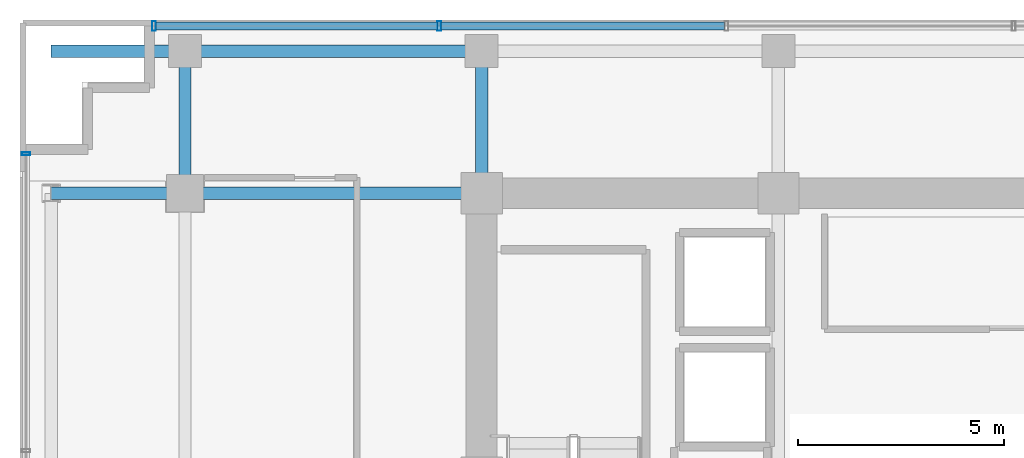
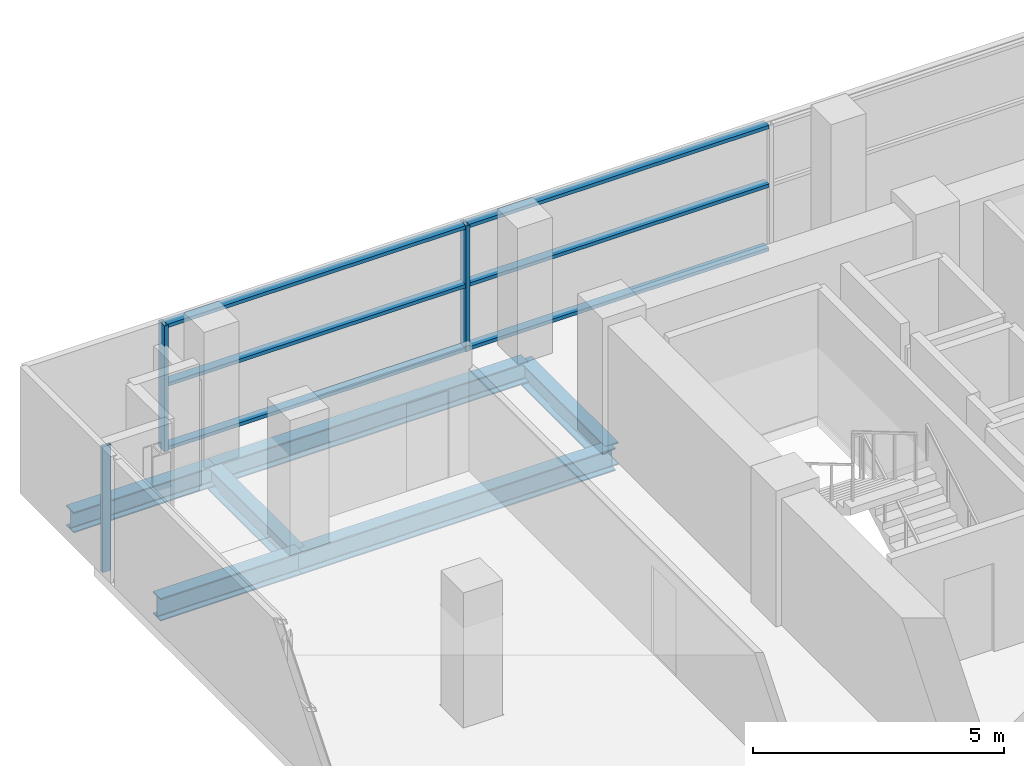
# One storey, part 12 of 25: 9 members, 6 beams, 2 elements without a shape of their own.
"""IFC4 building model written with IfcOpenShell, lengths in metres."""

from ifc_helpers import new_model, si_unit, direction, frame, origin, origin_2d, place, context, subcontext, project, spatial, hollow_rectangle, i_section, extrude, source, transform, mapped, material, layer, layer_set, material_profile, profile_set, type_object, element, aggregate, save


model = new_model("IFC4")

# Units and contexts
model_context = context("Model", 3, precision=1e-05, world=origin(), true_north=direction((0.0, 1.0)))
body_context = subcontext(model_context, "Body", "Model", "MODEL_VIEW")
ifc_project = project(units=[si_unit("LENGTHUNIT", "METRE"), si_unit("AREAUNIT", "SQUARE_METRE"), si_unit("VOLUMEUNIT", "CUBIC_METRE"), si_unit("PLANEANGLEUNIT", "RADIAN"), si_unit("MASSUNIT", "GRAM", prefix="KILO")], contexts=[model_context])

# Site, building, storey
site_placement = place(None, origin())
site = spatial("IfcSite", under=ifc_project, at=site_placement, CompositionType="ELEMENT")
building_placement = place(site_placement, origin())
building = spatial("IfcBuilding", under=site, at=building_placement, Name="Zarnakvel Exchange Tower", CompositionType="ELEMENT")
storey_placement = place(building_placement, frame((0.0, 0.0, 126.39990234375)))
storey = spatial("IfcBuildingStorey", under=building, at=storey_placement, Name="L35", CompositionType="ELEMENT", Elevation=126.39990234375)

# Beams
ifc_material_1 = material(Name="Steel S355", Category="steel")
ifc_material_profile_1 = material_profile(ifc_material_1, i_section(OverallWidth=0.300048828125, OverallDepth=0.550048828125, WebThickness=0.014892578125, FlangeThickness=0.029052734375, FilletRadius=0.027099609375, at=origin_2d()))
ifc_profile_set_1 = profile_set([ifc_material_profile_1], Name="Steel S355")
beam_type_1 = type_object("IfcBeamType", Name="G-05", PredefinedType="BEAM", material=ifc_profile_set_1)
beam_1_placement = place(storey_placement, frame((-24.85009765625, 13.5, -0.5), z_axis=(1.0, 0.0, 0.0), x_axis=(0.0, 1.0, 0.0)))
element("IfcBeam", 1, at=beam_1_placement, inside=storey, type_object=beam_type_1, Name="L35 Tower E-W Frame Beam", PredefinedType="BEAM", context=body_context, shape_type="SweptSolid", body=[
    extrude(i_section(OverallWidth=0.300048828125, OverallDepth=0.550048828125, WebThickness=0.014892578125, FlangeThickness=0.029052734375, FilletRadius=0.027099609375, at=origin_2d()), origin(), (0.0, 0.0, 1.0), 3.25),
])
beam_2_placement = place(storey_placement, frame((-21.60009765625, 13.5, -0.5), z_axis=(1.0, 0.0, 0.0), x_axis=(0.0, 1.0, 0.0)))
element("IfcBeam", 2, at=beam_2_placement, inside=storey, type_object=beam_type_1, Name="L35 Tower E-W Frame Beam", PredefinedType="BEAM", context=body_context, shape_type="SweptSolid", body=[
    extrude(i_section(OverallWidth=0.300048828125, OverallDepth=0.550048828125, WebThickness=0.014892578125, FlangeThickness=0.029052734375, FilletRadius=0.027099609375, at=origin_2d()), origin(), (0.0, 0.0, 1.0), 7.2001953125),
])
for number, where, z_axis, x_axis, name in (
    (3, (-21.60009765625, 13.5, -0.5), (0.0, 1.0, 0.0), (-1.0, 0.0, 0.0), "L35 Tower N-S Frame Beam"),
    (4, (-14.39990234375, 13.5, -0.5), (0.0, 1.0, 0.0), (-1.0, 0.0, 0.0), "L35 Tower N-S Frame Beam"),
):
    element("IfcBeam", number, at=place(storey_placement, frame(where, z_axis=z_axis, x_axis=x_axis)), inside=storey, type_object=beam_type_1, Name=name, PredefinedType="BEAM", context=body_context, shape_type="SweptSolid", body=[
        extrude(i_section(OverallWidth=0.300048828125, OverallDepth=0.550048828125, WebThickness=0.014892578125, FlangeThickness=0.029052734375, FilletRadius=0.027099609375, at=origin_2d()), origin(), (0.0, 0.0, 1.0), 3.449951171875),
    ])
ifc_material_profile_2 = material_profile(ifc_material_1, i_section(OverallWidth=0.300048828125, OverallDepth=0.5, WebThickness=0.014404296875, FlangeThickness=0.028076171875, FilletRadius=0.027099609375, at=origin_2d()))
ifc_profile_set_2 = profile_set([ifc_material_profile_2], Name="Steel S355")
beam_type_2 = type_object("IfcBeamType", Name="SP-02", PredefinedType="SPANDREL", material=ifc_profile_set_2)
beam_3_placement = place(storey_placement, frame((-21.60009765625, 16.949951171875, -0.474853515625), z_axis=(1.0, 0.0, 0.0), x_axis=(0.0, 1.0, 0.0)))
element("IfcBeam", 5, at=beam_3_placement, inside=storey, type_object=beam_type_2, Name="L35 Tower E-W Frame Beam", PredefinedType="SPANDREL", context=body_context, shape_type="SweptSolid", body=[
    extrude(i_section(OverallWidth=0.300048828125, OverallDepth=0.5, WebThickness=0.014404296875, FlangeThickness=0.028076171875, FilletRadius=0.027099609375, at=origin_2d()), origin(), (0.0, 0.0, 1.0), 7.2001953125),
])
beam_4_placement = place(storey_placement, frame((-24.85009765625, 16.949951171875, -0.474853515625), z_axis=(1.0, 0.0, 0.0), x_axis=(0.0, 1.0, 0.0)))
element("IfcBeam", 6, at=beam_4_placement, inside=storey, type_object=beam_type_2, Name="L35 North-West Corner Spandrel", PredefinedType="SPANDREL", context=body_context, shape_type="SweptSolid", body=[
    extrude(i_section(OverallWidth=0.300048828125, OverallDepth=0.5, WebThickness=0.014404296875, FlangeThickness=0.028076171875, FilletRadius=0.027099609375, at=origin_2d()), origin(), (0.0, 0.0, 1.0), 3.25),
])

# Curtain wall, members
ifc_material_2 = material(Name="Architectural Bronze Anodised Aluminium", Category="aluminium")
ifc_layer_1 = layer(ifc_material_2, 0.239990234375)
ifc_layer_set_1 = layer_set([ifc_layer_1], Name="Architectural Bronze Anodised Aluminium")
curtain_wall_type_1 = type_object("IfcCurtainWallType", Name="CW-02", PredefinedType="NOTDEFINED", material=ifc_layer_set_1)
curtain_wall_1_placement = place(storey_placement, origin())
curtain_wall_1 = element("IfcCurtainWall", 7, at=curtain_wall_1_placement, inside=storey, type_object=curtain_wall_type_1, Name="L35 Curtain Wall CW-L35-N1 (CW-02)", PredefinedType="NOTDEFINED")
ifc_material_profile_3 = material_profile(ifc_material_2, hollow_rectangle(XDim=0.239990234375, YDim=0.090087890625, WallThickness=0.006103515625, at=origin_2d()))
ifc_profile_set_3 = profile_set([ifc_material_profile_3], Name="Architectural Bronze Anodised Aluminium")
member_type_1 = type_object("IfcMemberType", Name="CWM-02", PredefinedType="MULLION", material=ifc_profile_set_3)
shared_shape_1 = source(origin(), body_context, "Body", "SweptSolid", [
    extrude(hollow_rectangle(XDim=0.239990234375, YDim=0.090087890625, WallThickness=0.006103515625, at=origin_2d()), origin(), (0.0, 0.0, 1.0), 3.05517578125),
])
member_1_placement = place(storey_placement, frame((-22.35498046875, 17.56005859375, 0.0), z_axis=(0.0, 0.0, 1.0), x_axis=(0.0, 1.0, 0.0)))
member_1 = element("IfcMember", 8, at=member_1_placement, type_object=member_type_1, Name="CW-02 mullion 1", PredefinedType="MULLION", context=body_context, shape_type="MappedRepresentation", body=[
    mapped(shared_shape_1, transform((0.0, 0.0, 0.0), x_axis=(1.0, 0.0, 0.0), y_axis=(0.0, 1.0, 0.0), z_axis=(0.0, 0.0, 1.0), scale=1.0)),
])
member_2_placement = place(storey_placement, frame((-15.428466796875, 17.56005859375, 0.0), z_axis=(0.0, 0.0, 1.0), x_axis=(0.0, 1.0, 0.0)))
member_2 = element("IfcMember", 9, at=member_2_placement, type_object=member_type_1, Name="CW-02 mullion 2", PredefinedType="MULLION", context=body_context, shape_type="MappedRepresentation", body=[
    mapped(shared_shape_1, transform((0.0, 0.0, 0.0), x_axis=(1.0, 0.0, 0.0), y_axis=(0.0, 1.0, 0.0), z_axis=(0.0, 0.0, 1.0), scale=1.0)),
])

# Curtain wall, member
ifc_layer_2 = layer(ifc_material_2, 0.199951171875)
ifc_layer_set_2 = layer_set([ifc_layer_2], Name="Architectural Bronze Anodised Aluminium")
curtain_wall_type_2 = type_object("IfcCurtainWallType", Name="CW-04", PredefinedType="NOTDEFINED", material=ifc_layer_set_2)
curtain_wall_2_placement = place(storey_placement, origin())
curtain_wall_2 = element("IfcCurtainWall", 10, at=curtain_wall_2_placement, inside=storey, type_object=curtain_wall_type_2, Name="L35 Curtain Wall CW-L35-W1 (CW-04)", PredefinedType="NOTDEFINED")
ifc_material_profile_4 = material_profile(ifc_material_2, hollow_rectangle(XDim=0.199951171875, YDim=0.074951171875, WallThickness=0.0048828125, at=origin_2d()))
ifc_profile_set_4 = profile_set([ifc_material_profile_4], Name="Architectural Bronze Anodised Aluminium")
member_type_2 = type_object("IfcMemberType", Name="CWM-04", PredefinedType="MULLION", material=ifc_profile_set_4)
shared_shape_2 = source(origin(), body_context, "Body", "SweptSolid", [
    extrude(hollow_rectangle(XDim=0.199951171875, YDim=0.074951171875, WallThickness=0.0048828125, at=origin_2d()), origin(), (0.0, 0.0, 1.0), 3.05517578125),
])
member_3_placement = place(storey_placement, frame((-25.4599609375, 14.46240234375, 0.0), z_axis=(0.0, 0.0, 1.0), x_axis=(-1.0, 0.0, 0.0)))
member_3 = element("IfcMember", 11, at=member_3_placement, type_object=member_type_2, Name="CW-04 mullion 5", PredefinedType="MULLION", context=body_context, shape_type="MappedRepresentation", body=[
    mapped(shared_shape_2, transform((0.0, 0.0, 0.0), x_axis=(1.0, 0.0, 0.0), y_axis=(0.0, 1.0, 0.0), z_axis=(0.0, 0.0, 1.0), scale=1.0)),
])
aggregate(curtain_wall_2, [member_3])

# Member
ifc_material_profile_5 = material_profile(ifc_material_2, hollow_rectangle(XDim=0.199951171875, YDim=0.0849609375, WallThickness=0.0048828125, at=origin_2d()))
ifc_profile_set_5 = profile_set([ifc_material_profile_5], Name="Architectural Bronze Anodised Aluminium")
member_type_3 = type_object("IfcMemberType", Name="CWT-02", PredefinedType="USERDEFINED", material=ifc_profile_set_5)
shared_shape_3 = source(origin(), body_context, "Body", "SweptSolid", [
    extrude(hollow_rectangle(XDim=0.199951171875, YDim=0.0849609375, WallThickness=0.0048828125, at=origin_2d()), origin(), (0.0, 0.0, 1.0), 6.83642578125),
])
member_4_placement = place(storey_placement, frame((-22.31005859375, 17.56005859375, 0.04248046875), z_axis=(1.0, 0.0, 0.0), x_axis=(0.0, 1.0, 0.0)))
member_4 = element("IfcMember", 12, at=member_4_placement, type_object=member_type_3, Name="CW-02 transom 1.1", ObjectType="TRANSOM", PredefinedType="USERDEFINED", context=body_context, shape_type="MappedRepresentation", body=[
    mapped(shared_shape_3, transform((0.0, 0.0, 0.0), x_axis=(1.0, 0.0, 0.0), y_axis=(0.0, 1.0, 0.0), z_axis=(0.0, 0.0, 1.0), scale=1.0)),
])

member_5_placement = place(storey_placement, frame((-22.31005859375, 17.56005859375, 1.588623046875), z_axis=(1.0, 0.0, 0.0), x_axis=(0.0, 1.0, 0.0)))
member_5 = element("IfcMember", 13, at=member_5_placement, type_object=member_type_3, Name="CW-02 transom 1.2", ObjectType="TRANSOM", PredefinedType="USERDEFINED", context=body_context, shape_type="MappedRepresentation", body=[
    mapped(shared_shape_3, transform((0.0, 0.0, 0.0), x_axis=(1.0, 0.0, 0.0), y_axis=(0.0, 1.0, 0.0), z_axis=(0.0, 0.0, 1.0), scale=1.0)),
])

member_6_placement = place(storey_placement, frame((-22.31005859375, 17.56005859375, 3.0126953125), z_axis=(1.0, 0.0, 0.0), x_axis=(0.0, 1.0, 0.0)))
member_6 = element("IfcMember", 14, at=member_6_placement, type_object=member_type_3, Name="CW-02 transom 1.3", ObjectType="TRANSOM", PredefinedType="USERDEFINED", context=body_context, shape_type="MappedRepresentation", body=[
    mapped(shared_shape_3, transform((0.0, 0.0, 0.0), x_axis=(1.0, 0.0, 0.0), y_axis=(0.0, 1.0, 0.0), z_axis=(0.0, 0.0, 1.0), scale=1.0)),
])

shared_shape_4 = source(origin(), body_context, "Body", "SweptSolid", [
    extrude(hollow_rectangle(XDim=0.199951171875, YDim=0.0849609375, WallThickness=0.0048828125, at=origin_2d()), origin(), (0.0, 0.0, 1.0), 6.88134765625),
])
member_7_placement = place(storey_placement, frame((-15.383544921875, 17.56005859375, 0.04248046875), z_axis=(1.0, 0.0, 0.0), x_axis=(0.0, 1.0, 0.0)))
member_7 = element("IfcMember", 15, at=member_7_placement, type_object=member_type_3, Name="CW-02 transom 2.1", ObjectType="TRANSOM", PredefinedType="USERDEFINED", context=body_context, shape_type="MappedRepresentation", body=[
    mapped(shared_shape_4, transform((0.0, 0.0, 0.0), x_axis=(1.0, 0.0, 0.0), y_axis=(0.0, 1.0, 0.0), z_axis=(0.0, 0.0, 1.0), scale=1.0)),
])

member_8_placement = place(storey_placement, frame((-15.383544921875, 17.56005859375, 1.588623046875), z_axis=(1.0, 0.0, 0.0), x_axis=(0.0, 1.0, 0.0)))
member_8 = element("IfcMember", 16, at=member_8_placement, type_object=member_type_3, Name="CW-02 transom 2.2", ObjectType="TRANSOM", PredefinedType="USERDEFINED", context=body_context, shape_type="MappedRepresentation", body=[
    mapped(shared_shape_4, transform((0.0, 0.0, 0.0), x_axis=(1.0, 0.0, 0.0), y_axis=(0.0, 1.0, 0.0), z_axis=(0.0, 0.0, 1.0), scale=1.0)),
])

member_9_placement = place(storey_placement, frame((-15.383544921875, 17.56005859375, 3.0126953125), z_axis=(1.0, 0.0, 0.0), x_axis=(0.0, 1.0, 0.0)))
member_9 = element("IfcMember", 17, at=member_9_placement, type_object=member_type_3, Name="CW-02 transom 2.3", ObjectType="TRANSOM", PredefinedType="USERDEFINED", context=body_context, shape_type="MappedRepresentation", body=[
    mapped(shared_shape_4, transform((0.0, 0.0, 0.0), x_axis=(1.0, 0.0, 0.0), y_axis=(0.0, 1.0, 0.0), z_axis=(0.0, 0.0, 1.0), scale=1.0)),
])

aggregate(curtain_wall_1, [member_1, member_2, member_4, member_5, member_6, member_7, member_8, member_9])

save(model, "model.ifc")
